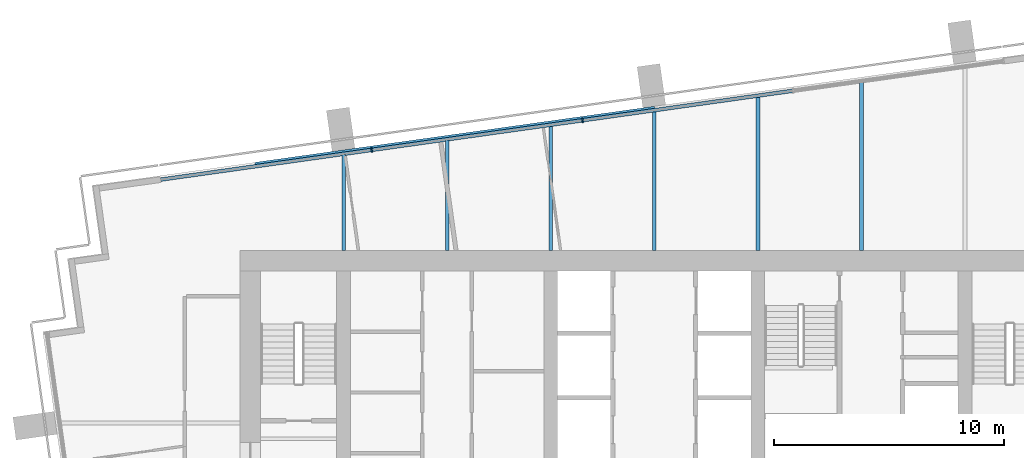
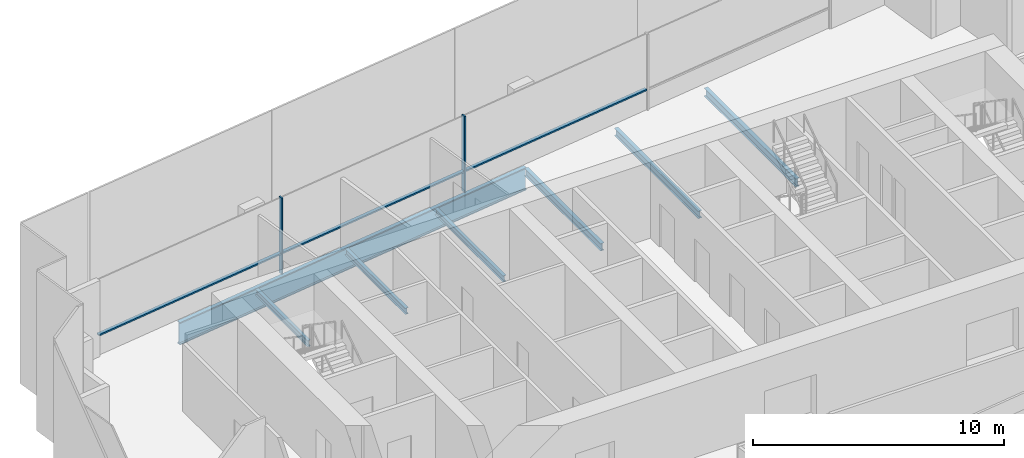
# One storey, part 5 of 15: 7 beams, 5 members, 1 element without a shape of its own.
"""IFC4 building model written with IfcOpenShell, lengths in metres."""

import ifcopenshell
import ifcopenshell.guid

model = None  # the IFC model being written
_history = None  # IfcOwnerHistory: only IFC2X3 demands one
_inside = {}  # id of a spatial element -> (the spatial element, [elements in it])
_under = {}  # id of a project, library or spatial element -> (it, [spatial elements below it])
_declared = {}  # id of a project -> (the project, [libraries it declares])
_typed = {}  # id of a type object -> (the type object, [elements of that type])
_made_of = {}  # id of a material, layer set ... -> (it, [elements and type objects made of it])


def new_model(schema):
    """Start an empty IFC model of exactly this schema.

    Asked for "IFC4X3", IfcOpenShell would pick the latest addendum, in which some entities
    have other attributes; the version numbers below select the first issue.
    IFC2X3 requires an IfcOwnerHistory on every rooted entity: one is made here for all.
    """
    global model, _history
    if schema == "IFC4X3":
        model = ifcopenshell.file(schema_version=(4, 3, 0, 0))
    else:
        model = ifcopenshell.file(schema=schema)
    _inside.clear()
    _under.clear()
    _declared.clear()
    _typed.clear()
    _made_of.clear()
    _history = None
    if model.schema == "IFC2X3":
        org = make("IfcOrganization", Name="unknown")
        user = make(
            "IfcPersonAndOrganization",
            ThePerson=make("IfcPerson", FamilyName="unknown"),
            TheOrganization=org,
        )
        app = make(
            "IfcApplication",
            ApplicationDeveloper=org,
            Version="unknown",
            ApplicationFullName="unknown",
            ApplicationIdentifier="unknown",
        )
        _history = make(
            "IfcOwnerHistory",
            OwningUser=user,
            OwningApplication=app,
            ChangeAction="ADDED",
            CreationDate=0,
        )
    return model


def make(cls, **values):
    """One entity of the class cls with the attributes given. An attribute that is None is left unset."""
    return model.create_entity(
        cls, **{name: value for name, value in values.items() if value is not None}
    )


def rooted(cls, **values):
    """An entity with a GlobalId (a new one), such as an element, a storey or a relation."""
    return make(cls, GlobalId=ifcopenshell.guid.new(), OwnerHistory=_history, **values)


def si_unit(unit_type, name, prefix=None):
    """IfcSIUnit, for example si_unit("LENGTHUNIT", "METRE", prefix="MILLI")."""
    return make("IfcSIUnit", UnitType=unit_type, Prefix=prefix, Name=name)


def assignment(units):
    """IfcUnitAssignment: the units of a project."""
    return None if units is None else make("IfcUnitAssignment", Units=units)


def point(xyz):
    """IfcCartesianPoint."""
    return None if xyz is None else make("IfcCartesianPoint", Coordinates=xyz)


def direction(xyz):
    """IfcDirection."""
    return None if xyz is None else make("IfcDirection", DirectionRatios=xyz)


def frame(location, z_axis=None, x_axis=None):
    """IfcAxis2Placement3D, a coordinate frame: its origin and axes. An axis left out is left unset."""
    return make(
        "IfcAxis2Placement3D",
        Location=point(location),
        Axis=direction(z_axis),
        RefDirection=direction(x_axis),
    )


def frame_2d(location, x_axis=None):
    """IfcAxis2Placement2D, a coordinate frame in the plane: its origin and x axis."""
    return make(
        "IfcAxis2Placement2D", Location=point(location), RefDirection=direction(x_axis)
    )


def origin():
    """The frame at (0, 0, 0) with its axes left unset."""
    return frame((0.0, 0.0, 0.0))


def origin_2d():
    """The frame at (0, 0) in the plane with its x axis left unset."""
    return frame_2d((0.0, 0.0))


def place(relative_to, where):
    """IfcLocalPlacement: puts the frame where relative to a parent placement (None: the world)."""
    return make(
        "IfcLocalPlacement", PlacementRelTo=relative_to, RelativePlacement=where
    )


def context(
    kind, dimensions, precision=None, world=None, true_north=None, identifier=None
):
    """IfcGeometricRepresentationContext, for example the 3D "Model" context."""
    return make(
        "IfcGeometricRepresentationContext",
        ContextIdentifier=identifier,
        ContextType=kind,
        CoordinateSpaceDimension=dimensions,
        Precision=precision,
        WorldCoordinateSystem=world,
        TrueNorth=true_north,
    )


def subcontext(parent, identifier, kind, view, scale=None):
    """IfcGeometricRepresentationSubContext, for example "Body" below "Model"."""
    return make(
        "IfcGeometricRepresentationSubContext",
        ContextIdentifier=identifier,
        ContextType=kind,
        ParentContext=parent,
        TargetScale=scale,
        TargetView=view,
    )


def project(units=None, contexts=None):
    """IfcProject with its units and contexts."""
    return rooted(
        "IfcProject",
        Name="project",
        RepresentationContexts=contexts,
        UnitsInContext=assignment(units),
    )


def spatial(cls, under=None, at=None, **own):
    """A site, building, storey or space (cls), placed at a placement, below another one or the project."""
    s = rooted(cls, ObjectPlacement=at, **own)
    if under is not None:
        _under.setdefault(under.id(), (under, []))[1].append(s)
    return s


def profile(cls, at=None, kind="AREA", **sizes):
    """A parametric profile (cls). Its sizes go by their IFC names, for example OverallWidth=200.0."""
    return make(cls, ProfileType=kind, Position=at, **sizes)


def rectangle(**sizes):
    """IfcRectangleProfileDef."""
    return profile("IfcRectangleProfileDef", **sizes)


def i_section(**sizes):
    """IfcIShapeProfileDef."""
    return profile("IfcIShapeProfileDef", **sizes)


def extrude(swept, where, along, depth):
    """IfcExtrudedAreaSolid: the profile swept, set in the frame where, extruded along a direction by depth."""
    return make(
        "IfcExtrudedAreaSolid",
        SweptArea=swept,
        Position=where,
        ExtrudedDirection=direction(along),
        Depth=depth,
    )


def shape(context_of_items, identifier, shape_type, items):
    """IfcShapeRepresentation: the items that make up one representation, for example the "Body"."""
    return make(
        "IfcShapeRepresentation",
        ContextOfItems=context_of_items,
        RepresentationIdentifier=identifier,
        RepresentationType=shape_type,
        Items=items,
    )


def material(Name=None, Category=None):
    """IfcMaterial."""
    return make("IfcMaterial", Name=Name, Category=Category)


def layer(
    of_material, thickness, ventilated=None, Name=None, Category=None, Priority=None
):
    """IfcMaterialLayer: one layer of a wall or slab, of a material (None: an air gap)."""
    return make(
        "IfcMaterialLayer",
        Material=of_material,
        LayerThickness=thickness,
        IsVentilated=ventilated,
        Name=Name,
        Category=Category,
        Priority=Priority,
    )


def layer_set(layers, Name=None):
    """IfcMaterialLayerSet."""
    return make("IfcMaterialLayerSet", MaterialLayers=layers, LayerSetName=Name)


def material_profile(
    of_material, cross_section, Name=None, Category=None, Priority=None
):
    """IfcMaterialProfile: a cross section and its material."""
    return make(
        "IfcMaterialProfile",
        Name=Name,
        Material=of_material,
        Profile=cross_section,
        Priority=Priority,
        Category=Category,
    )


def profile_set(profiles, Name=None, composite=None):
    """IfcMaterialProfileSet."""
    return make(
        "IfcMaterialProfileSet",
        Name=Name,
        MaterialProfiles=profiles,
        CompositeProfile=composite,
    )


def made_of(thing, what):
    """Note that an element or type object is made of a material, layer set ...; save() writes the relation."""
    if what is not None:
        _made_of.setdefault(what.id(), (what, []))[1].append(thing)
    return thing


def type_object(cls, material=None, **own):
    """A type object (cls), such as IfcWallType, which elements share."""
    return made_of(rooted(cls, **own), material)


def element(
    cls,
    number,
    at=None,
    inside=None,
    cuts=None,
    type_object=None,
    material=None,
    context=None,
    identifier="Body",
    shape_type=None,
    held_by="IfcProductDefinitionShape",
    body=None,
    shapes=None,
    **own,
):
    """One element of the class cls, such as IfcWall. Its Tag is "e" and its number.

    at: its placement. inside: the storey or other place that contains it. cuts: it is an
    opening in that element (IfcRelVoidsElement). A single representation is given by context,
    identifier, shape_type and body (its items); several are given by shapes. held_by: the class
    of the entity that holds the representations. save() writes the other relations.
    """
    e = rooted(cls, Tag="e%d" % number, ObjectPlacement=at, **own)
    if body is not None:
        shapes = [shape(context, identifier, shape_type, body)]
    if shapes is not None:
        e.Representation = make(held_by, Representations=shapes)
    if inside is not None:
        _inside.setdefault(inside.id(), (inside, []))[1].append(e)
    if cuts is not None:
        rooted(
            "IfcRelVoidsElement", RelatingBuildingElement=cuts, RelatedOpeningElement=e
        )
    if type_object is not None:
        _typed.setdefault(type_object.id(), (type_object, []))[1].append(e)
    return made_of(e, material)


def aggregate(whole, parts):
    """IfcRelAggregates: a whole, such as a stair, and the parts it consists of."""
    return rooted("IfcRelAggregates", RelatingObject=whole, RelatedObjects=parts)


def save(model, path):
    """Write the relations noted so far, then the file.

    IfcRelAggregates (storeys below a building ...), IfcRelContainedInSpatialStructure (elements
    in a storey), IfcRelDefinesByType, IfcRelAssociatesMaterial and IfcRelDeclares: one each for
    every whole, place, type object, material and project.
    """
    for whole, parts in _under.values():
        aggregate(whole, parts)
    for where, things in _inside.values():
        rooted(
            "IfcRelContainedInSpatialStructure",
            RelatedElements=things,
            RelatingStructure=where,
        )
    for kind, things in _typed.values():
        rooted("IfcRelDefinesByType", RelatedObjects=things, RelatingType=kind)
    for what, things in _made_of.values():
        rooted("IfcRelAssociatesMaterial", RelatedObjects=things, RelatingMaterial=what)
    for by, libraries in _declared.values():
        rooted("IfcRelDeclares", RelatingContext=by, RelatedDefinitions=libraries)
    model.write(path)


model = new_model("IFC4")

# Units and contexts
model_context = context("Model", 3, precision=1e-05, world=origin(), true_north=direction((0.0, 1.0)))
body_context = subcontext(model_context, "Body", "Model", "MODEL_VIEW")
ifc_project = project(units=[si_unit("LENGTHUNIT", "METRE"), si_unit("AREAUNIT", "SQUARE_METRE"), si_unit("VOLUMEUNIT", "CUBIC_METRE"), si_unit("PLANEANGLEUNIT", "RADIAN"), si_unit("MASSUNIT", "GRAM", prefix="KILO")], contexts=[model_context])

# Site, building, storey
site_placement = place(None, origin())
site = spatial("IfcSite", under=ifc_project, at=site_placement, CompositionType="ELEMENT")
building_placement = place(site_placement, origin())
building = spatial("IfcBuilding", under=site, at=building_placement, Name="Rattan Terrace Tower", CompositionType="ELEMENT")
storey_placement = place(building_placement, frame((0.0, 0.0, 255.10009765625)))
storey = spatial("IfcBuildingStorey", under=building, at=storey_placement, Name="L58", CompositionType="ELEMENT", Elevation=255.10009765625)

# Beams
ifc_material_1 = material(Name="Steel S460", Category="steel")
ifc_material_profile_1 = material_profile(ifc_material_1, i_section(OverallWidth=0.179931640625, OverallDepth=1.10009765625, WebThickness=0.01611328125, FlangeThickness=0.050048828125, at=origin_2d()), Name="PG 1100x180-16-50")
ifc_profile_set_1 = profile_set([ifc_material_profile_1], Name="Steel S460")
beam_type_1 = type_object("IfcBeamType", Name="Frame edge girder PG 1100x180-16-50", PredefinedType="SPANDREL", material=ifc_profile_set_1)
beam_1_placement = place(storey_placement, frame((-17.347900390625, 11.22900390625, -0.75), z_axis=(0.990275473288, 0.139120404699, 0.0), x_axis=(-0.139120404699, 0.990275473288, 0.0)))
element("IfcBeam", 1, at=beam_1_placement, inside=storey, type_object=beam_type_1, Name="gdr-L58-005", PredefinedType="SPANDREL", context=body_context, shape_type="SweptSolid", body=[
    extrude(i_section(OverallWidth=0.179931640625, OverallDepth=1.10009765625, WebThickness=0.01611328125, FlangeThickness=0.050048828125, at=origin_2d()), origin(), (0.0, 0.0, 1.0), 17.53125),
])
ifc_material_2 = material(Name="Steel S355", Category="steel")
ifc_material_profile_2 = material_profile(ifc_material_2, i_section(OverallWidth=0.14990234375, OverallDepth=0.300048828125, WebThickness=0.007080078125, FlangeThickness=0.0107421875, FilletRadius=0.014892578125, at=origin_2d()), Name="IPE 300")
ifc_profile_set_2 = profile_set([ifc_material_profile_2], Name="Steel S355")
beam_type_2 = type_object("IfcBeamType", Name="Frame floor beam IPE 300", PredefinedType="JOIST", material=ifc_profile_set_2)
beam_2_placement = place(storey_placement, frame((-13.5, 7.5, -0.35009765625), z_axis=(0.0, 1.0, 0.0), x_axis=(-1.0, 0.0, 0.0)))
element("IfcBeam", 2, at=beam_2_placement, inside=storey, type_object=beam_type_2, Name="bm-L58-015", PredefinedType="JOIST", context=body_context, shape_type="SweptSolid", body=[
    extrude(i_section(OverallWidth=0.14990234375, OverallDepth=0.300048828125, WebThickness=0.007080078125, FlangeThickness=0.0107421875, FilletRadius=0.014892578125, at=origin_2d()), origin(), (0.0, 0.0, 1.0), 4.16796875),
])
beam_3_placement = place(storey_placement, frame((-9.0, 7.5, -0.35009765625), z_axis=(0.0, 1.0, 0.0), x_axis=(-1.0, 0.0, 0.0)))
element("IfcBeam", 3, at=beam_3_placement, inside=storey, type_object=beam_type_2, Name="bm-L58-016", PredefinedType="JOIST", context=body_context, shape_type="SweptSolid", body=[
    extrude(i_section(OverallWidth=0.14990234375, OverallDepth=0.300048828125, WebThickness=0.007080078125, FlangeThickness=0.0107421875, FilletRadius=0.014892578125, at=origin_2d()), origin(), (0.0, 0.0, 1.0), 4.800048828125),
])
beam_4_placement = place(storey_placement, frame((-4.5, 7.5, -0.35009765625), z_axis=(0.0, 1.0, 0.0), x_axis=(-1.0, 0.0, 0.0)))
element("IfcBeam", 4, at=beam_4_placement, inside=storey, type_object=beam_type_2, Name="bm-L58-017", PredefinedType="JOIST", context=body_context, shape_type="SweptSolid", body=[
    extrude(i_section(OverallWidth=0.14990234375, OverallDepth=0.300048828125, WebThickness=0.007080078125, FlangeThickness=0.0107421875, FilletRadius=0.014892578125, at=origin_2d()), origin(), (0.0, 0.0, 1.0), 5.43310546875),
])
ifc_material_3 = material(Name="Steel S355", Category="steel")
ifc_material_profile_3 = material_profile(ifc_material_3, i_section(OverallWidth=0.169921875, OverallDepth=0.360107421875, WebThickness=0.008056640625, FlangeThickness=0.0126953125, FilletRadius=0.01806640625, at=origin_2d()), Name="IPE 360")
ifc_profile_set_3 = profile_set([ifc_material_profile_3], Name="Steel S355")
beam_type_3 = type_object("IfcBeamType", Name="Frame floor beam IPE 360", PredefinedType="JOIST", material=ifc_profile_set_3)
beam_5_placement = place(storey_placement, frame((0.0, 7.5, -0.380126953125), z_axis=(0.0, 1.0, 0.0), x_axis=(-1.0, 0.0, 0.0)))
element("IfcBeam", 5, at=beam_5_placement, inside=storey, type_object=beam_type_3, Name="bm-L58-018", PredefinedType="JOIST", context=body_context, shape_type="SweptSolid", body=[
    extrude(i_section(OverallWidth=0.169921875, OverallDepth=0.360107421875, WebThickness=0.008056640625, FlangeThickness=0.0126953125, FilletRadius=0.01806640625, at=origin_2d()), origin(), (0.0, 0.0, 1.0), 6.06298828125),
])
beam_6_placement = place(storey_placement, frame((4.5, 7.5, -0.380126953125), z_axis=(0.0, 1.0, 0.0), x_axis=(-1.0, 0.0, 0.0)))
element("IfcBeam", 6, at=beam_6_placement, inside=storey, type_object=beam_type_3, Name="bm-L58-019", PredefinedType="JOIST", context=body_context, shape_type="SweptSolid", body=[
    extrude(i_section(OverallWidth=0.169921875, OverallDepth=0.360107421875, WebThickness=0.008056640625, FlangeThickness=0.0126953125, FilletRadius=0.01806640625, at=origin_2d()), origin(), (0.0, 0.0, 1.0), 6.696044921875),
])
ifc_material_4 = material(Name="Steel S355", Category="steel")
ifc_material_profile_4 = material_profile(ifc_material_4, i_section(OverallWidth=0.179931640625, OverallDepth=0.39990234375, WebThickness=0.008544921875, FlangeThickness=0.013427734375, FilletRadius=0.02099609375, at=origin_2d()), Name="IPE 400")
ifc_profile_set_4 = profile_set([ifc_material_profile_4], Name="Steel S355")
beam_type_4 = type_object("IfcBeamType", Name="Frame floor beam IPE 400", PredefinedType="JOIST", material=ifc_profile_set_4)
beam_7_placement = place(storey_placement, frame((9.0, 7.5, -0.400146484375), z_axis=(0.0, 1.0, 0.0), x_axis=(-1.0, 0.0, 0.0)))
element("IfcBeam", 7, at=beam_7_placement, inside=storey, type_object=beam_type_4, Name="bm-L58-020", PredefinedType="JOIST", context=body_context, shape_type="SweptSolid", body=[
    extrude(i_section(OverallWidth=0.179931640625, OverallDepth=0.39990234375, WebThickness=0.008544921875, FlangeThickness=0.013427734375, FilletRadius=0.02099609375, at=origin_2d()), origin(), (0.0, 0.0, 1.0), 7.327880859375),
])

# Curtain wall, members
ifc_material_5 = material(Name="Aluminium and laminated glass", Category="aluminium")
ifc_layer = layer(ifc_material_5, 0.199951171875)
ifc_layer_set = layer_set([ifc_layer], Name="High-Zone Unitised Curtain Wall")
curtain_wall_type = type_object("IfcCurtainWallType", Name="High-Zone Unitised Curtain Wall", PredefinedType="NOTDEFINED", material=ifc_layer_set)
curtain_wall_placement = place(storey_placement, origin())
curtain_wall = element("IfcCurtainWall", 8, at=curtain_wall_placement, inside=storey, type_object=curtain_wall_type, Name="High-zone curtain wall L58-2", PredefinedType="NOTDEFINED")
ifc_material_6 = material(Name="Aluminium", Category="aluminium")
ifc_material_profile_5 = material_profile(ifc_material_6, rectangle(XDim=0.070068359375, YDim=0.199951171875, at=origin_2d()), Name="Aluminium 70x200")
ifc_profile_set_5 = profile_set([ifc_material_profile_5], Name="Aluminium")
member_type_1 = type_object("IfcMemberType", Name="High-Zone CW Mullion 70x200", PredefinedType="MULLION", material=ifc_profile_set_5)
member_1_placement = place(storey_placement, frame((-3.1181640625, 13.14697265625, 0.0), z_axis=(0.0, 0.0, 1.0), x_axis=(-0.990265894013, -0.139188574079, 0.0)))
member_1 = element("IfcMember", 9, at=member_1_placement, type_object=member_type_1, Name="Mullion cwl-L58-002.3", PredefinedType="MULLION", context=body_context, shape_type="SweptSolid", body=[
    extrude(rectangle(XDim=0.070068359375, YDim=0.199951171875, at=origin_2d()), origin(), (0.0, 0.0, 1.0), 3.699951171875),
])
member_2_placement = place(storey_placement, frame((-12.27734375, 11.859619140625, 0.0), z_axis=(0.0, 0.0, 1.0), x_axis=(-0.990265894013, -0.139188574079, 0.0)))
member_2 = element("IfcMember", 10, at=member_2_placement, type_object=member_type_1, Name="Mullion cwl-L58-002.4", PredefinedType="MULLION", context=body_context, shape_type="SweptSolid", body=[
    extrude(rectangle(XDim=0.070068359375, YDim=0.199951171875, at=origin_2d()), origin(), (0.0, 0.0, 1.0), 3.699951171875),
])
ifc_material_7 = material(Name="Aluminium", Category="aluminium")
ifc_material_profile_6 = material_profile(ifc_material_7, rectangle(XDim=0.159912109375, YDim=0.070068359375, at=origin_2d()), Name="Aluminium 160x70")
ifc_profile_set_6 = profile_set([ifc_material_profile_6], Name="Aluminium")
member_type_2 = type_object("IfcMemberType", Name="High-Zone CW Transom 160x70", PredefinedType="USERDEFINED", material=ifc_profile_set_6)
member_3_placement = place(storey_placement, frame((6.006103515625, 14.429443359375, 1.0), z_axis=(-0.990266147156, -0.139186773067, 0.0), x_axis=(0.139186773067, -0.990266147156, 0.0)))
member_3 = element("IfcMember", 11, at=member_3_placement, type_object=member_type_2, Name="Transom cwl-L58-002.2", ObjectType="TRANSOM", PredefinedType="USERDEFINED", context=body_context, shape_type="SweptSolid", body=[
    extrude(rectangle(XDim=0.159912109375, YDim=0.070068359375, at=origin_2d()), origin(), (0.0, 0.0, 1.0), 9.178955078125),
])
member_4_placement = place(storey_placement, frame((-3.15283203125, 13.14208984375, 1.0), z_axis=(-0.990266662415, -0.139183107123, 0.0), x_axis=(0.139183107123, -0.990266662415, 0.0)))
member_4 = element("IfcMember", 12, at=member_4_placement, type_object=member_type_2, Name="Transom cwl-L58-002.3", ObjectType="TRANSOM", PredefinedType="USERDEFINED", context=body_context, shape_type="SweptSolid", body=[
    extrude(rectangle(XDim=0.159912109375, YDim=0.070068359375, at=origin_2d()), origin(), (0.0, 0.0, 1.0), 9.17919921875),
])
member_5_placement = place(storey_placement, frame((-12.31201171875, 11.854736328125, 1.0), z_axis=(-0.990263767768, -0.139203700545, 0.0), x_axis=(0.139203700545, -0.990263767768, 0.0)))
member_5 = element("IfcMember", 13, at=member_5_placement, type_object=member_type_2, Name="Transom cwl-L58-002.4", ObjectType="TRANSOM", PredefinedType="USERDEFINED", context=body_context, shape_type="SweptSolid", body=[
    extrude(rectangle(XDim=0.159912109375, YDim=0.070068359375, at=origin_2d()), origin(), (0.0, 0.0, 1.0), 9.21826171875),
])
aggregate(curtain_wall, [member_1, member_2, member_3, member_4, member_5])

save(model, "model.ifc")
